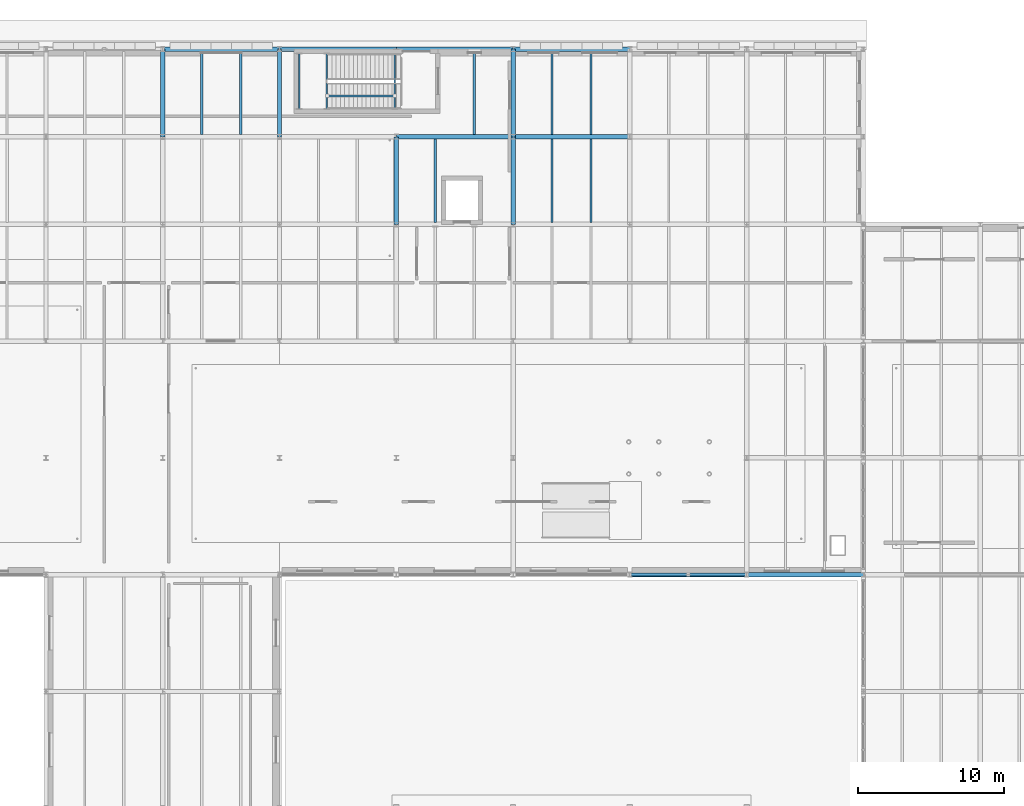
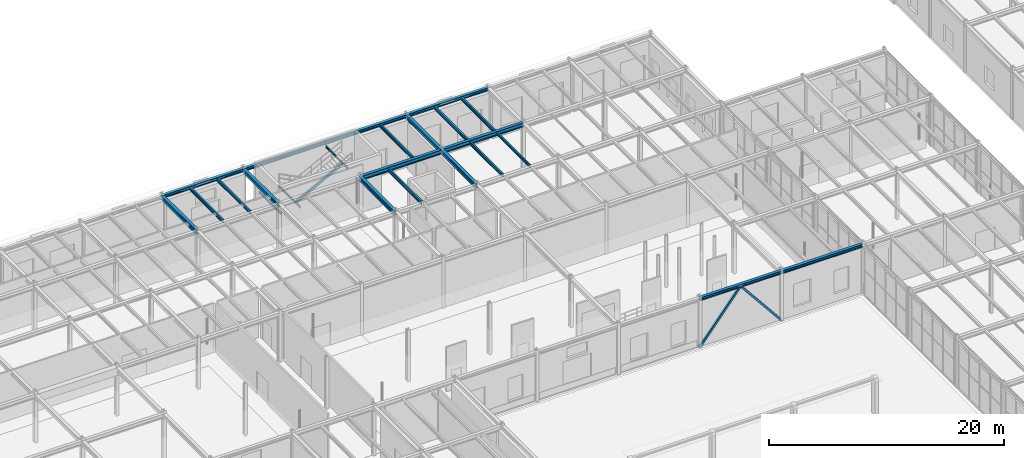
# One storey, part 42 of 129: 24 beams, 3 members.
"""IFC4 building model written with IfcOpenShell, lengths in metres."""

from ifc_helpers import new_model, si_unit, direction, frame, origin, origin_2d, place, context, subcontext, project, spatial, hollow_rectangle, i_section, extrude, material, material_profile, profile_set, type_object, element, save


model = new_model("IFC4")

# Units and contexts
model_context = context("Model", 3, precision=1e-05, world=origin(), true_north=direction((0.0, 1.0)))
body_context = subcontext(model_context, "Body", "Model", "MODEL_VIEW")
ifc_project = project(units=[si_unit("LENGTHUNIT", "METRE"), si_unit("AREAUNIT", "SQUARE_METRE"), si_unit("VOLUMEUNIT", "CUBIC_METRE"), si_unit("PLANEANGLEUNIT", "RADIAN"), si_unit("MASSUNIT", "GRAM", prefix="KILO")], contexts=[model_context])

# Site, building, storey
site_placement = place(None, origin())
site = spatial("IfcSite", under=ifc_project, at=site_placement, CompositionType="ELEMENT")
building_placement = place(site_placement, origin())
building = spatial("IfcBuilding", under=site, at=building_placement, Name="Sundkrona Museum", CompositionType="ELEMENT")
storey_placement = place(building_placement, origin())
storey = spatial("IfcBuildingStorey", under=building, at=storey_placement, Name="L00", CompositionType="ELEMENT", Elevation=0.0)

# Beams
ifc_material = material(Name="Steel S355J2", Category="steel")
ifc_material_profile_1 = material_profile(ifc_material, i_section(OverallWidth=0.300048828125, OverallDepth=0.43994140625, WebThickness=0.011474609375, FlangeThickness=0.02099609375, FilletRadius=0.027099609375, at=origin_2d()), Name="HEA 450")
ifc_profile_set_1 = profile_set([ifc_material_profile_1], Name="Steel S355J2")
beam_type_1 = type_object("IfcBeamType", Name="B-HEA450", PredefinedType="BEAM", material=ifc_profile_set_1)
for number, where, z_axis, x_axis, name in (
    (1, (48.0, 108.0, 4.93994140625), (1.0, 0.0, 0.0), (0.0, 1.0, 0.0), "L00 Girder X-0588"),
    (2, (56.0, 108.0, 4.93994140625), (1.0, 0.0, 0.0), (0.0, 1.0, 0.0), "L00 Girder X-0589"),
):
    element("IfcBeam", number, at=place(storey_placement, frame(where, z_axis=z_axis, x_axis=x_axis)), inside=storey, type_object=beam_type_1, Name=name, PredefinedType="BEAM", context=body_context, shape_type="SweptSolid", body=[
        extrude(i_section(OverallWidth=0.300048828125, OverallDepth=0.43994140625, WebThickness=0.011474609375, FlangeThickness=0.02099609375, FilletRadius=0.027099609375, at=origin_2d()), origin(), (0.0, 0.0, 1.0), 8.0),
    ])
for number, where, z_axis, x_axis, name in (
    (3, (32.0, 108.0, 4.93994140625), (0.0, 1.0, 0.0), (-1.0, 0.0, 0.0), "L00 Girder Y-0646"),
    (4, (40.0, 108.0, 4.93994140625), (0.0, 1.0, 0.0), (-1.0, 0.0, 0.0), "L00 Girder Y-0655"),
    (5, (48.0, 102.0, 4.93994140625), (0.0, 1.0, 0.0), (-1.0, 0.0, 0.0), "L00 Girder Y-0657"),
    (6, (56.0, 102.0, 4.93994140625), (0.0, 1.0, 0.0), (-1.0, 0.0, 0.0), "L00 Girder Y-0661"),
    (7, (56.0, 108.0, 4.93994140625), (0.0, 1.0, 0.0), (-1.0, 0.0, 0.0), "L00 Girder Y-0662"),
):
    element("IfcBeam", number, at=place(storey_placement, frame(where, z_axis=z_axis, x_axis=x_axis)), inside=storey, type_object=beam_type_1, Name=name, PredefinedType="BEAM", context=body_context, shape_type="SweptSolid", body=[
        extrude(i_section(OverallWidth=0.300048828125, OverallDepth=0.43994140625, WebThickness=0.011474609375, FlangeThickness=0.02099609375, FilletRadius=0.027099609375, at=origin_2d()), origin(), (0.0, 0.0, 1.0), 6.0),
    ])

# Members
ifc_material_profile_2 = material_profile(ifc_material, i_section(OverallWidth=0.135009765625, OverallDepth=0.27001953125, WebThickness=0.006591796875, FlangeThickness=0.01025390625, FilletRadius=0.014892578125, at=origin_2d()), Name="IPE 270")
ifc_profile_set_2 = profile_set([ifc_material_profile_2], Name="Steel S355J2")
member_type_1 = type_object("IfcMemberType", Name="BR-IPE270", PredefinedType="BRACE", material=ifc_profile_set_2)
member_placement = place(storey_placement, frame((43.284912109375, 110.800048828125, 2.3798828125), z_axis=(0.884492571905, 0.0, 0.466554273632), x_axis=(0.0, 1.0, 0.0)))
element("IfcMember", 8, at=member_placement, inside=storey, type_object=member_type_1, Name="SRK-1 L00 ST-3 Flight 2 Inclined Carriage Raker", PredefinedType="BRACE", context=body_context, shape_type="SweptSolid", body=[
    extrude(i_section(OverallWidth=0.135009765625, OverallDepth=0.27001953125, WebThickness=0.006591796875, FlangeThickness=0.01025390625, FilletRadius=0.014892578125, at=origin_2d()), origin(), (0.0, 0.0, 1.0), 5.2177734375),
])
ifc_material_profile_3 = material_profile(ifc_material, hollow_rectangle(XDim=0.199951171875, YDim=0.199951171875, WallThickness=0.010009765625, at=origin_2d()), Name="SHS 200x200x10.0")
ifc_profile_set_3 = profile_set([ifc_material_profile_3], Name="Steel S355J2")
member_type_2 = type_object("IfcMemberType", Name="BR-SHS200", PredefinedType="BRACE", material=ifc_profile_set_3)
for number, where, z_axis, x_axis, name in (
    (9, (64.0, 78.0, 0.0), (0.629293246808, 0.0, 0.777167941645), (0.0, 1.0, 0.0), "CBR-1 L00 Concentric Chevron Brace 019A"),
    (10, (72.0, 78.0, 0.0), (-0.629293246808, 0.0, 0.777167941645), (0.0, -1.0, 0.0), "CBR-1 L00 Concentric Chevron Brace 019B"),
):
    element("IfcMember", number, at=place(storey_placement, frame(where, z_axis=z_axis, x_axis=x_axis)), inside=storey, type_object=member_type_2, Name=name, PredefinedType="BRACE", context=body_context, shape_type="SweptSolid", body=[
        extrude(hollow_rectangle(XDim=0.199951171875, YDim=0.199951171875, WallThickness=0.010009765625, at=origin_2d()), origin(), (0.0, 0.0, 1.0), 6.3564453125),
    ])

# Beams
ifc_material_profile_4 = material_profile(ifc_material, i_section(OverallWidth=0.10009765625, OverallDepth=0.199951171875, WebThickness=0.005615234375, FlangeThickness=0.008544921875, FilletRadius=0.011962890625, at=origin_2d()), Name="IPE 200")
ifc_profile_set_4 = profile_set([ifc_material_profile_4], Name="Steel S355J2")
beam_type_2 = type_object("IfcBeamType", Name="J-IPE200", PredefinedType="JOIST", material=ifc_profile_set_4)
for number, where, z_axis, x_axis, name in (
    (11, (41.339599609375, 109.909912109375, 2.3798828125), (0.0, 1.0, 0.0), (-1.0, 0.0, 0.0), "L00 ST-3 Mid-Landing Trimmer Beam 1A"),
    (12, (43.245361328125, 109.909912109375, 2.3798828125), (0.0, 1.0, 0.0), (-1.0, 0.0, 0.0), "L00 ST-3 Mid-Landing Trimmer Beam 1B"),
    (13, (47.89990234375, 109.909912109375, 4.814208984375), (0.0, 1.0, 0.0), (-1.0, 0.0, 0.0), "L00 ST-3 Flight 2 Arrival Header Beam"),
):
    element("IfcBeam", number, at=place(storey_placement, frame(where, z_axis=z_axis, x_axis=x_axis)), inside=storey, type_object=beam_type_2, Name=name, PredefinedType="JOIST", context=body_context, shape_type="SweptSolid", body=[
        extrude(i_section(OverallWidth=0.10009765625, OverallDepth=0.199951171875, WebThickness=0.005615234375, FlangeThickness=0.008544921875, FilletRadius=0.011962890625, at=origin_2d()), origin(), (0.0, 0.0, 1.0), 3.780029296875),
    ])
ifc_material_profile_5 = material_profile(ifc_material, i_section(OverallWidth=0.135009765625, OverallDepth=0.27001953125, WebThickness=0.006591796875, FlangeThickness=0.01025390625, FilletRadius=0.014892578125, at=origin_2d()), Name="IPE 270")
ifc_profile_set_5 = profile_set([ifc_material_profile_5], Name="Steel S355J2")
beam_type_3 = type_object("IfcBeamType", Name="J-IPE270", PredefinedType="JOIST", material=ifc_profile_set_5)
beam_1_placement = place(storey_placement, frame((61.333251953125, 102.14404296875, 5.02490234375), z_axis=(0.0, 1.0, 0.0), x_axis=(-1.0, 0.0, 0.0)))
element("IfcBeam", 14, at=beam_1_placement, inside=storey, type_object=beam_type_3, Name="L00 Composite Joist 0370", PredefinedType="JOIST", context=body_context, shape_type="SweptSolid", body=[
    extrude(i_section(OverallWidth=0.135009765625, OverallDepth=0.27001953125, WebThickness=0.006591796875, FlangeThickness=0.01025390625, FilletRadius=0.014892578125, at=origin_2d()), origin(), (0.0, 0.0, 1.0), 5.7119140625),
])
ifc_material_profile_6 = material_profile(ifc_material, i_section(OverallWidth=0.159912109375, OverallDepth=0.330078125, WebThickness=0.007568359375, FlangeThickness=0.011474609375, FilletRadius=0.01806640625, at=origin_2d()), Name="IPE 330")
ifc_profile_set_6 = profile_set([ifc_material_profile_6], Name="Steel S355J2")
beam_type_4 = type_object("IfcBeamType", Name="J-IPE330", PredefinedType="JOIST", material=ifc_profile_set_6)
for number, where, z_axis, x_axis, name in (
    (15, (34.666748046875, 108.14404296875, 4.9951171875), (0.0, 1.0, 0.0), (-1.0, 0.0, 0.0), "L00 Composite Joist 0357"),
    (16, (37.333251953125, 108.14404296875, 4.9951171875), (0.0, 1.0, 0.0), (-1.0, 0.0, 0.0), "L00 Composite Joist 0358"),
    (17, (53.333251953125, 108.14404296875, 4.9951171875), (0.0, 1.0, 0.0), (-1.0, 0.0, 0.0), "L00 Composite Joist 0366"),
    (18, (58.666748046875, 102.14404296875, 4.9951171875), (0.0, 1.0, 0.0), (-1.0, 0.0, 0.0), "L00 Composite Joist 0369"),
    (19, (58.666748046875, 108.14404296875, 4.9951171875), (0.0, 1.0, 0.0), (-1.0, 0.0, 0.0), "L00 Composite Joist 0371"),
    (20, (61.333251953125, 108.14404296875, 4.9951171875), (0.0, 1.0, 0.0), (-1.0, 0.0, 0.0), "L00 Composite Joist 0372"),
):
    element("IfcBeam", number, at=place(storey_placement, frame(where, z_axis=z_axis, x_axis=x_axis)), inside=storey, type_object=beam_type_4, Name=name, PredefinedType="JOIST", context=body_context, shape_type="SweptSolid", body=[
        extrude(i_section(OverallWidth=0.159912109375, OverallDepth=0.330078125, WebThickness=0.007568359375, FlangeThickness=0.011474609375, FilletRadius=0.01806640625, at=origin_2d()), origin(), (0.0, 0.0, 1.0), 5.7119140625),
    ])
ifc_material_profile_7 = material_profile(ifc_material, i_section(OverallWidth=0.169921875, OverallDepth=0.360107421875, WebThickness=0.008056640625, FlangeThickness=0.0126953125, FilletRadius=0.01806640625, at=origin_2d()), Name="IPE 360")
ifc_profile_set_7 = profile_set([ifc_material_profile_7], Name="Steel S355J2")
beam_type_5 = type_object("IfcBeamType", Name="J-IPE360", PredefinedType="JOIST", material=ifc_profile_set_7)
beam_2_placement = place(storey_placement, frame((50.666748046875, 102.14404296875, 4.97998046875), z_axis=(0.0, 1.0, 0.0), x_axis=(-1.0, 0.0, 0.0)))
element("IfcBeam", 21, at=beam_2_placement, inside=storey, type_object=beam_type_5, Name="L00 Composite Joist 0365", PredefinedType="JOIST", context=body_context, shape_type="SweptSolid", body=[
    extrude(i_section(OverallWidth=0.169921875, OverallDepth=0.360107421875, WebThickness=0.008056640625, FlangeThickness=0.0126953125, FilletRadius=0.01806640625, at=origin_2d()), origin(), (0.0, 0.0, 1.0), 5.7119140625),
])
ifc_material_profile_8 = material_profile(ifc_material, i_section(OverallWidth=0.300048828125, OverallDepth=0.320068359375, WebThickness=0.011474609375, FlangeThickness=0.0205078125, FilletRadius=0.027099609375, at=origin_2d()), Name="HEB 320")
ifc_profile_set_8 = profile_set([ifc_material_profile_8], Name="Steel S355J2")
beam_type_6 = type_object("IfcBeamType", Name="SP-HEB320", PredefinedType="SPANDREL", material=ifc_profile_set_8)
for number, where, z_axis, x_axis, name in (
    (22, (64.0, 78.0, 5.0), (1.0, 0.0, 0.0), (0.0, 1.0, 0.0), "L00 Girder X-0523"),
    (23, (72.0, 78.0, 4.97998046875), (1.0, 0.0, 0.0), (0.0, 1.0, 0.0), "L00 Girder X-0524"),
    (24, (32.0, 114.0, 5.0), (1.0, 0.0, 0.0), (0.0, 1.0, 0.0), "L00 Girder X-0601"),
    (25, (40.0, 114.0, 5.0), (1.0, 0.0, 0.0), (0.0, 1.0, 0.0), "L00 Girder X-0602"),
    (26, (48.0, 114.0, 5.0), (1.0, 0.0, 0.0), (0.0, 1.0, 0.0), "L00 Girder X-0603"),
    (27, (56.0, 114.0, 5.0), (1.0, 0.0, 0.0), (0.0, 1.0, 0.0), "L00 Girder X-0604"),
):
    element("IfcBeam", number, at=place(storey_placement, frame(where, z_axis=z_axis, x_axis=x_axis)), inside=storey, type_object=beam_type_6, Name=name, PredefinedType="SPANDREL", context=body_context, shape_type="SweptSolid", body=[
        extrude(i_section(OverallWidth=0.300048828125, OverallDepth=0.320068359375, WebThickness=0.011474609375, FlangeThickness=0.0205078125, FilletRadius=0.027099609375, at=origin_2d()), origin(), (0.0, 0.0, 1.0), 8.0),
    ])

save(model, "model.ifc")
